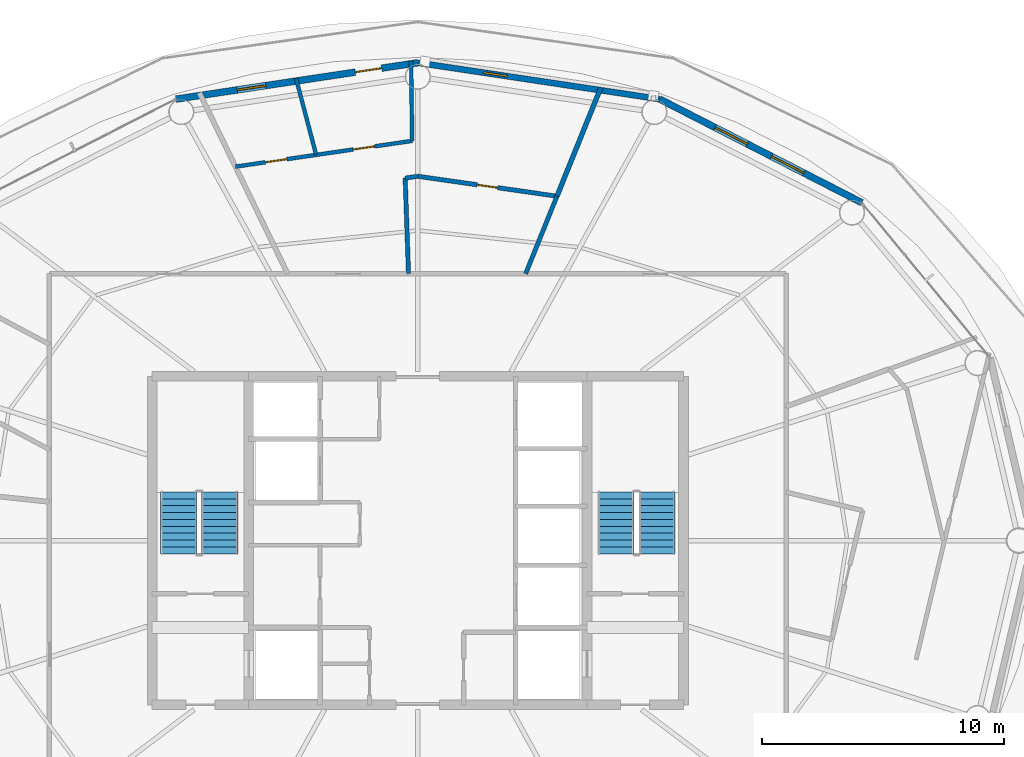
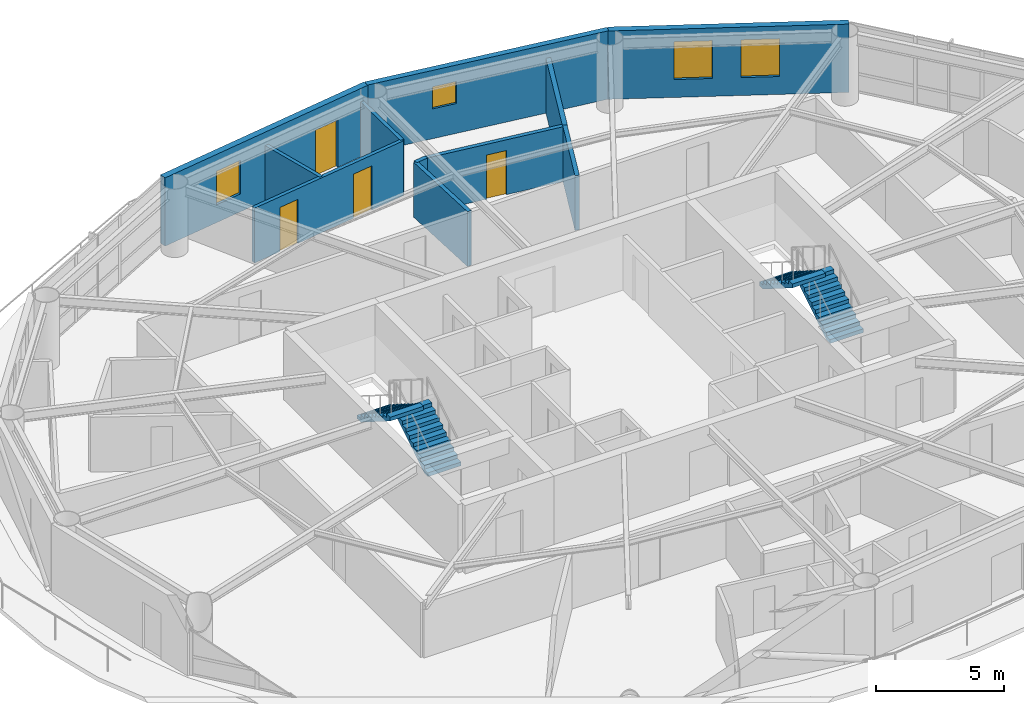
# One storey, part 21 of 24: 11 walls, 4 doors, 4 stair flights, 4 windows, 8 openings, 2 elements without a shape of their own.
"""IFC4 building model written with IfcOpenShell, lengths in metres."""

from ifc_helpers import new_model, si_unit, direction, frame, frame_2d, origin, place, context, subcontext, project, spatial, polyline, rectangle, outline, extrude, material, layer, layer_set, type_object, element, fill, aggregate, save


model = new_model("IFC4")

# Units and contexts
model_context = context("Model", 3, precision=1e-05, world=origin(), true_north=direction((0.0, 1.0)))
body_context = subcontext(model_context, "Body", "Model", "MODEL_VIEW")
ifc_project = project(units=[si_unit("LENGTHUNIT", "METRE"), si_unit("AREAUNIT", "SQUARE_METRE"), si_unit("VOLUMEUNIT", "CUBIC_METRE"), si_unit("PLANEANGLEUNIT", "RADIAN"), si_unit("MASSUNIT", "GRAM", prefix="KILO")], contexts=[model_context])

# Site, building, storey
site_placement = place(None, origin())
site = spatial("IfcSite", under=ifc_project, at=site_placement, CompositionType="ELEMENT")
building_placement = place(site_placement, origin())
building = spatial("IfcBuilding", under=site, at=building_placement, Name="Sarneth Arch Tower", CompositionType="ELEMENT")
storey_placement = place(building_placement, frame((0.0, 0.0, 253.199951171875)))
storey = spatial("IfcBuildingStorey", under=building, at=storey_placement, Name="L65", CompositionType="ELEMENT", Elevation=253.199951171875)

# Wall, opening, window
ifc_material_1 = material(Name="Extruded terracotta rainscreen on Concrete C40/50 backing", Category="masonry")
ifc_layer_1 = layer(ifc_material_1, 0.25)
ifc_layer_set_1 = layer_set([ifc_layer_1], Name="Extruded terracotta rainscreen on Concrete C40/50 backing")
wall_type_1 = type_object("IfcWallType", Name="WALL-EXT-SPAND-250", PredefinedType="SOLIDWALL", material=ifc_layer_set_1)
wall_1_placement = place(storey_placement, frame((58.0126953125, 60.2744140625, 0.0), z_axis=(0.0, 0.0, 1.0), x_axis=(-0.988882522213, 0.148698881169, 0.0)))
wall_1 = element("IfcWall", 1, at=wall_1_placement, inside=storey, type_object=wall_type_1, Name="L65 Terracotta perimeter wall 04", PredefinedType="SOLIDWALL", context=body_context, shape_type="SweptSolid", body=[
    extrude(rectangle(XDim=10.125244140625, YDim=0.25, at=frame_2d((5.0625, 0.0))), origin(), (0.0, 0.0, 1.0), 3.25),
])
opening_1_placement = place(wall_1_placement, frame((6.37890625, 0.0, 1.419921875)))
opening_1 = element("IfcOpeningElement", 2, at=opening_1_placement, cuts=wall_1, Name="Opening W-14", PredefinedType="OPENING", context=body_context, shape_type="SweptSolid", body=[
    extrude(rectangle(XDim=1.0, YDim=1.050048828125, at=frame_2d((0.5, 0.52490234375))), frame((0.0, 0.135009765625, 0.0), z_axis=(0.0, -1.0, 0.0), x_axis=(1.0, 0.0, 0.0)), (0.0, 0.0, 1.0), 0.27001953125),
])
ifc_material_2 = material(Name="Thermally broken Aluminium 6063-T6 and low-e laminated IGU", Category="aluminium")
window_type_1 = type_object("IfcWindowType", Name="WIN-TWR-1000x1050", PartitioningType="SINGLE_PANEL", PredefinedType="WINDOW", material=ifc_material_2)
window_1_placement = place(opening_1_placement, origin())
window_1 = element("IfcWindow", 3, at=window_1_placement, inside=storey, type_object=window_type_1, Name="L65 Dwelling bedroom window 01", OverallHeight=1.050048828125, OverallWidth=1.0, PartitioningType="SINGLE_PANEL", PredefinedType="WINDOW", context=body_context, shape_type="SweptSolid", body=[
    extrude(rectangle(XDim=1.0, YDim=1.050048828125, at=frame_2d((0.5, 0.52490234375))), frame((0.0, 0.030029296875, 0.0), z_axis=(0.0, -1.0, 0.0), x_axis=(1.0, 0.0, 0.0)), (0.0, 0.0, 1.0), 0.06005859375),
])
fill(opening_1, window_1)

# Wall, openings, windows
ifc_material_3 = material(Name="Extruded terracotta rainscreen on Concrete C40/50 backing", Category="masonry")
ifc_layer_2 = layer(ifc_material_3, 0.280029296875)
ifc_layer_set_2 = layer_set([ifc_layer_2], Name="Extruded terracotta rainscreen on Concrete C40/50 backing")
wall_type_2 = type_object("IfcWallType", Name="WALL-EXT-TERRA-280", PredefinedType="SOLIDWALL", material=ifc_layer_set_2)
wall_2_placement = place(storey_placement, frame((66.382568359375, 55.986572265625, 0.0), z_axis=(0.0, 0.0, 1.0), x_axis=(-0.890007394051, 0.455946091699, 0.0)))
wall_2 = element("IfcWall", 4, at=wall_2_placement, inside=storey, type_object=wall_type_2, Name="L65 Terracotta perimeter wall 03", PredefinedType="SOLIDWALL", context=body_context, shape_type="SweptSolid", body=[
    extrude(rectangle(XDim=9.404296875, YDim=0.280029296875, at=frame_2d((4.7021484375, 0.0))), origin(), (0.0, 0.0, 1.0), 3.25),
])
opening_2_placement = place(wall_2_placement, frame((2.702880859375, 0.0, 0.85009765625)))
opening_2 = element("IfcOpeningElement", 5, at=opening_2_placement, cuts=wall_2, Name="Opening W-07", PredefinedType="OPENING", context=body_context, shape_type="SweptSolid", body=[
    extrude(rectangle(XDim=1.5, YDim=1.800048828125, at=frame_2d((0.75, 0.89990234375))), frame((0.0, 0.14990234375, 0.0), z_axis=(0.0, -1.0, 0.0), x_axis=(1.0, 0.0, 0.0)), (0.0, 0.0, 1.0), 0.300048828125),
])
opening_3_placement = place(wall_2_placement, frame((5.330078125, 0.0, 0.85009765625)))
opening_3 = element("IfcOpeningElement", 6, at=opening_3_placement, cuts=wall_2, Name="Opening W-07", PredefinedType="OPENING", context=body_context, shape_type="SweptSolid", body=[
    extrude(rectangle(XDim=1.5, YDim=1.800048828125, at=frame_2d((0.75, 0.89990234375))), frame((0.0, 0.14990234375, 0.0), z_axis=(0.0, -1.0, 0.0), x_axis=(1.0, 0.0, 0.0)), (0.0, 0.0, 1.0), 0.300048828125),
])
ifc_material_4 = material(Name="Thermally broken Aluminium 6063-T6 and low-e laminated IGU", Category="aluminium")
window_type_2 = type_object("IfcWindowType", Name="WIN-TWR-1500x1800", PartitioningType="SINGLE_PANEL", PredefinedType="WINDOW", material=ifc_material_4)
window_2_placement = place(opening_2_placement, origin())
window_2 = element("IfcWindow", 7, at=window_2_placement, inside=storey, type_object=window_type_2, Name="L65 Exterior window 03A", OverallHeight=1.800048828125, OverallWidth=1.5, PartitioningType="SINGLE_PANEL", PredefinedType="WINDOW", context=body_context, shape_type="SweptSolid", body=[
    extrude(rectangle(XDim=1.5, YDim=1.800048828125, at=frame_2d((0.75, 0.89990234375))), frame((0.0, 0.030029296875, 0.0), z_axis=(0.0, -1.0, 0.0), x_axis=(1.0, 0.0, 0.0)), (0.0, 0.0, 1.0), 0.06005859375),
])
fill(opening_2, window_2)
window_3_placement = place(opening_3_placement, origin())
window_3 = element("IfcWindow", 8, at=window_3_placement, inside=storey, type_object=window_type_2, Name="L65 Exterior window 03B", OverallHeight=1.800048828125, OverallWidth=1.5, PartitioningType="SINGLE_PANEL", PredefinedType="WINDOW", context=body_context, shape_type="SweptSolid", body=[
    extrude(rectangle(XDim=1.5, YDim=1.800048828125, at=frame_2d((0.75, 0.89990234375))), frame((0.0, 0.030029296875, 0.0), z_axis=(0.0, -1.0, 0.0), x_axis=(1.0, 0.0, 0.0)), (0.0, 0.0, 1.0), 0.06005859375),
])
fill(opening_3, window_3)

# Wall, openings, door, window
wall_3_placement = place(storey_placement, frame((48.0, 61.780029296875, 0.0), z_axis=(0.0, 0.0, 1.0), x_axis=(-0.988882522213, -0.148698881169, 0.0)))
wall_3 = element("IfcWall", 9, at=wall_3_placement, inside=storey, type_object=wall_type_2, Name="L65 Terracotta perimeter wall 05", PredefinedType="SOLIDWALL", context=body_context, shape_type="SweptSolid", body=[
    extrude(rectangle(XDim=10.125244140625, YDim=0.280029296875, at=frame_2d((5.0625, 0.0))), origin(), (0.0, 0.0, 1.0), 3.25),
])
opening_4_placement = place(wall_3_placement, frame((1.51611328125, 0.0, 0.0)))
opening_4 = element("IfcOpeningElement", 10, at=opening_4_placement, cuts=wall_3, Name="Opening BD-3", PredefinedType="OPENING", context=body_context, shape_type="SweptSolid", body=[
    extrude(rectangle(XDim=1.10009765625, YDim=2.25, at=frame_2d((0.550048828125, 1.125))), frame((0.0, 0.14990234375, 0.0), z_axis=(0.0, -1.0, 0.0), x_axis=(1.0, 0.0, 0.0)), (0.0, 0.0, 1.0), 0.300048828125),
])
opening_5_placement = place(wall_3_placement, frame((6.35986328125, 0.0, 0.85009765625)))
opening_5 = element("IfcOpeningElement", 11, at=opening_5_placement, cuts=wall_3, Name="Opening W-10", PredefinedType="OPENING", context=body_context, shape_type="SweptSolid", body=[
    extrude(rectangle(XDim=1.199951171875, YDim=1.60009765625, at=frame_2d((0.60009765625, 0.800048828125))), frame((0.0, 0.14990234375, 0.0), z_axis=(0.0, -1.0, 0.0), x_axis=(1.0, 0.0, 0.0)), (0.0, 0.0, 1.0), 0.300048828125),
])
ifc_material_5 = material(Name="Thermally broken Aluminium 6063-T6 and laminated safety glass", Category="aluminium")
door_type_1 = type_object("IfcDoorType", Name="DR-BALC-GLZ-1100", OperationType="SINGLE_SWING_LEFT", PredefinedType="DOOR", material=ifc_material_5)
door_1_placement = place(opening_4_placement, origin())
door_1 = element("IfcDoor", 12, at=door_1_placement, inside=storey, type_object=door_type_1, Name="L65 Balcony glazed door 05", OperationType="SINGLE_SWING_LEFT", OverallHeight=2.25, OverallWidth=1.10009765625, PredefinedType="DOOR", context=body_context, shape_type="SweptSolid", body=[
    extrude(rectangle(XDim=1.10009765625, YDim=2.25, at=frame_2d((0.550048828125, 1.125))), frame((0.0, 0.02490234375, 0.0), z_axis=(0.0, -1.0, 0.0), x_axis=(1.0, 0.0, 0.0)), (0.0, 0.0, 1.0), 0.050048828125),
])
fill(opening_4, door_1)
ifc_material_6 = material(Name="Thermally broken Aluminium 6063-T6 and low-e laminated IGU", Category="aluminium")
window_type_3 = type_object("IfcWindowType", Name="WIN-TWR-1200x1600", PartitioningType="SINGLE_PANEL", PredefinedType="WINDOW", material=ifc_material_6)
window_4_placement = place(opening_5_placement, origin())
window_4 = element("IfcWindow", 13, at=window_4_placement, inside=storey, type_object=window_type_3, Name="L65 Exterior window 05A", OverallHeight=1.60009765625, OverallWidth=1.199951171875, PartitioningType="SINGLE_PANEL", PredefinedType="WINDOW", context=body_context, shape_type="SweptSolid", body=[
    extrude(rectangle(XDim=1.199951171875, YDim=1.60009765625, at=frame_2d((0.60009765625, 0.800048828125))), frame((0.0, 0.030029296875, 0.0), z_axis=(0.0, -1.0, 0.0), x_axis=(1.0, 0.0, 0.0)), (0.0, 0.0, 1.0), 0.06005859375),
])
fill(opening_5, window_4)

# Wall, openings, doors
ifc_material_7 = material(Name="Kitchen wet service chase wall", Category="gypsum")
ifc_layer_3 = layer(ifc_material_7, 0.159912109375)
ifc_layer_set_3 = layer_set([ifc_layer_3], Name="Kitchen wet service chase wall")
wall_type_3 = type_object("IfcWallType", Name="WALL-PLUMB-160", PredefinedType="PLUMBINGWALL", material=ifc_layer_set_3)
wall_4_placement = place(storey_placement, frame((40.4501953125, 57.47900390625, 0.0), z_axis=(0.0, 0.0, 1.0), x_axis=(0.989534552703, 0.144296115701, 0.0)))
wall_4 = element("IfcWall", 14, at=wall_4_placement, inside=storey, type_object=wall_type_3, Name="L65 Interior partition W-L65-TP-022", PredefinedType="PLUMBINGWALL", context=body_context, shape_type="SweptSolid", body=[
    extrude(rectangle(XDim=7.393798828125, YDim=0.159912109375, at=frame_2d((3.69677734375, 0.0))), origin(), (0.0, 0.0, 1.0), 2.610107421875),
])
opening_6_placement = place(wall_4_placement, frame((4.9189453125, 0.0, 0.0)))
opening_6 = element("IfcOpeningElement", 15, at=opening_6_placement, cuts=wall_4, Name="Opening ID-01", PredefinedType="OPENING", context=body_context, shape_type="SweptSolid", body=[
    extrude(rectangle(XDim=0.89990234375, YDim=2.10009765625, at=frame_2d((0.449951171875, 1.050048828125))), frame((0.0, 0.08984375, 0.0), z_axis=(0.0, -1.0, 0.0), x_axis=(1.0, 0.0, 0.0)), (0.0, 0.0, 1.0), 0.179931640625),
])
opening_7_placement = place(wall_4_placement, frame((1.25439453125, 0.0, 0.0)))
opening_7 = element("IfcOpeningElement", 16, at=opening_7_placement, cuts=wall_4, Name="Opening ID-01", PredefinedType="OPENING", context=body_context, shape_type="SweptSolid", body=[
    extrude(rectangle(XDim=0.89990234375, YDim=2.10009765625, at=frame_2d((0.449951171875, 1.050048828125))), frame((0.0, 0.08984375, 0.0), z_axis=(0.0, -1.0, 0.0), x_axis=(1.0, 0.0, 0.0)), (0.0, 0.0, 1.0), 0.179931640625),
])
ifc_material_8 = material(Name="Engineered hardwood flush door", Category="wood")
door_type_2 = type_object("IfcDoorType", Name="DR-INT-900", OperationType="SINGLE_SWING_LEFT", PredefinedType="DOOR", material=ifc_material_8)
door_2_placement = place(opening_6_placement, origin())
door_2 = element("IfcDoor", 17, at=door_2_placement, inside=storey, type_object=door_type_2, Name="L65 Interior door DR-L65-U2-KIT", OperationType="SINGLE_SWING_RIGHT", OverallHeight=2.10009765625, OverallWidth=0.89990234375, PredefinedType="DOOR", context=body_context, shape_type="SweptSolid", body=[
    extrude(rectangle(XDim=0.89990234375, YDim=2.10009765625, at=frame_2d((0.449951171875, 1.050048828125))), frame((0.0, 0.02490234375, 0.0), z_axis=(0.0, -1.0, 0.0), x_axis=(1.0, 0.0, 0.0)), (0.0, 0.0, 1.0), 0.050048828125),
])
fill(opening_6, door_2)
door_3_placement = place(opening_7_placement, origin())
door_3 = element("IfcDoor", 18, at=door_3_placement, inside=storey, type_object=door_type_2, Name="L65 Interior door DR-L65-U2-BED1", OperationType="SINGLE_SWING_LEFT", OverallHeight=2.10009765625, OverallWidth=0.89990234375, PredefinedType="DOOR", context=body_context, shape_type="SweptSolid", body=[
    extrude(rectangle(XDim=0.89990234375, YDim=2.10009765625, at=frame_2d((0.449951171875, 1.050048828125))), frame((0.0, 0.02490234375, 0.0), z_axis=(0.0, -1.0, 0.0), x_axis=(1.0, 0.0, 0.0)), (0.0, 0.0, 1.0), 0.050048828125),
])
fill(opening_7, door_3)

# Walls
wall_5_placement = place(storey_placement, frame((47.7666015625, 58.5458984375, 0.0), z_axis=(0.0, 0.0, 1.0), x_axis=(-0.01415056948, 0.999899875679, 0.0)))
element("IfcWall", 19, at=wall_5_placement, inside=storey, type_object=wall_type_3, Name="L65 Interior partition W-L65-TP-023", PredefinedType="PLUMBINGWALL", context=body_context, shape_type="SweptSolid", body=[
    extrude(rectangle(XDim=3.3125, YDim=0.159912109375, at=frame_2d((1.65625, 0.0))), origin(), (0.0, 0.0, 1.0), 2.610107421875),
])
wall_6_placement = place(storey_placement, frame((42.95458984375, 61.141845703125, 0.0), z_axis=(0.0, 0.0, 1.0), x_axis=(0.254917754424, -0.96696273893, 0.0)))
element("IfcWall", 20, at=wall_6_placement, inside=storey, type_object=wall_type_3, Name="L65 Interior partition W-L65-TP-029", PredefinedType="PLUMBINGWALL", context=body_context, shape_type="SweptSolid", body=[
    extrude(rectangle(XDim=3.283935546875, YDim=0.159912109375, at=frame_2d((1.64208984375, 0.0))), origin(), (0.0, 0.0, 1.0), 2.610107421875),
])

# Wall, opening, door
ifc_material_9 = material(Name="Moisture-resistant plumbing chase wall", Category="gypsum")
ifc_layer_4 = layer(ifc_material_9, 0.179931640625)
ifc_layer_set_4 = layer_set([ifc_layer_4], Name="Moisture-resistant plumbing chase wall")
wall_type_4 = type_object("IfcWallType", Name="WALL-PLUMB-180", PredefinedType="PLUMBINGWALL", material=ifc_layer_set_4)
wall_7_placement = place(storey_placement, frame((48.0, 57.080078125, 0.0), z_axis=(0.0, 0.0, 1.0), x_axis=(0.98992178104, -0.141615209012, 0.0)))
wall_7 = element("IfcWall", 21, at=wall_7_placement, inside=storey, type_object=wall_type_4, Name="L65 Interior partition W-L65-TP-026", PredefinedType="PLUMBINGWALL", context=body_context, shape_type="SweptSolid", body=[
    extrude(rectangle(XDim=5.818359375, YDim=0.179931640625, at=frame_2d((2.9091796875, 0.0))), origin(), (0.0, 0.0, 1.0), 2.610107421875),
])
opening_8_placement = place(wall_7_placement, frame((2.484130859375, 0.0, 0.0)))
opening_8 = element("IfcOpeningElement", 22, at=opening_8_placement, cuts=wall_7, Name="Opening ID-02", PredefinedType="OPENING", context=body_context, shape_type="SweptSolid", body=[
    extrude(rectangle(XDim=0.85009765625, YDim=2.10009765625, at=frame_2d((0.425048828125, 1.050048828125))), frame((0.0, 0.099853515625, 0.0), z_axis=(0.0, -1.0, 0.0), x_axis=(1.0, 0.0, 0.0)), (0.0, 0.0, 1.0), 0.199951171875),
])
ifc_material_10 = material(Name="Moisture-resistant bathroom timber door", Category="wood")
door_type_3 = type_object("IfcDoorType", Name="DR-INT-850", OperationType="SINGLE_SWING_RIGHT", PredefinedType="DOOR", material=ifc_material_10)
door_4_placement = place(opening_8_placement, origin())
door_4 = element("IfcDoor", 23, at=door_4_placement, inside=storey, type_object=door_type_3, Name="L65 Interior door DR-L65-U2-BATH", OperationType="SINGLE_SWING_RIGHT", OverallHeight=2.10009765625, OverallWidth=0.85009765625, PredefinedType="DOOR", context=body_context, shape_type="SweptSolid", body=[
    extrude(rectangle(XDim=0.85009765625, YDim=2.10009765625, at=frame_2d((0.425048828125, 1.050048828125))), frame((0.0, 0.02490234375, 0.0), z_axis=(0.0, -1.0, 0.0), x_axis=(1.0, 0.0, 0.0)), (0.0, 0.0, 1.0), 0.050048828125),
])
fill(opening_8, door_4)

# Walls
wall_8_placement = place(storey_placement, frame((47.614013671875, 53.050048828125, 0.0), z_axis=(0.0, 0.0, 1.0), x_axis=(-0.034857500177, 0.999392292687, 0.0)))
element("IfcWall", 24, at=wall_8_placement, inside=storey, type_object=wall_type_4, Name="L65 Interior partition W-L65-TP-024", PredefinedType="PLUMBINGWALL", context=body_context, shape_type="SweptSolid", body=[
    extrude(rectangle(XDim=3.957275390625, YDim=0.179931640625, at=frame_2d((1.978515625, 0.0))), origin(), (0.0, 0.0, 1.0), 2.610107421875),
])
wall_9_placement = place(storey_placement, frame((53.759765625, 56.256103515625, 0.0), z_axis=(0.0, 0.0, 1.0), x_axis=(-0.374565779855, -0.927200343271, 0.0)))
element("IfcWall", 25, at=wall_9_placement, inside=storey, type_object=wall_type_4, Name="L65 Interior partition W-L65-TP-019", PredefinedType="PLUMBINGWALL", context=body_context, shape_type="SweptSolid", body=[
    extrude(rectangle(XDim=3.457763671875, YDim=0.179931640625, at=frame_2d((1.72900390625, 0.0))), origin(), (0.0, 0.0, 1.0), 2.610107421875),
])
wall_10_placement = place(storey_placement, frame((47.47607421875, 57.0048828125, 0.0), z_axis=(0.0, 0.0, 1.0), x_axis=(0.989857031687, 0.142067085629, 0.0)))
element("IfcWall", 26, at=wall_10_placement, inside=storey, type_object=wall_type_4, Name="L65 Interior partition W-L65-TP-025", PredefinedType="PLUMBINGWALL", context=body_context, shape_type="SweptSolid", body=[
    extrude(rectangle(XDim=0.529296875, YDim=0.179931640625, at=frame_2d((0.2646484375, 0.0))), origin(), (0.0, 0.0, 1.0), 2.610107421875),
])
ifc_material_11 = material(Name="Double steel-stud acoustic drywall", Category="steel")
ifc_layer_5 = layer(ifc_material_11, 0.199951171875)
ifc_layer_set_5 = layer_set([ifc_layer_5], Name="Double steel-stud acoustic drywall")
wall_type_5 = type_object("IfcWallType", Name="WALL-UNIT-200", PredefinedType="PARTITIONING", material=ifc_layer_set_5)
wall_11_placement = place(storey_placement, frame((55.578857421875, 60.75830078125, 0.0), z_axis=(0.0, 0.0, 1.0), x_axis=(-0.374621823663, -0.927177701002, 0.0)))
element("IfcWall", 27, at=wall_11_placement, inside=storey, type_object=wall_type_5, Name="L65 Interior partition W-L65-TP-018", PredefinedType="PARTITIONING", context=body_context, shape_type="SweptSolid", body=[
    extrude(rectangle(XDim=4.855712890625, YDim=0.199951171875, at=frame_2d((2.427734375, 0.0))), origin(), (0.0, 0.0, 1.0), 2.610107421875),
])

# Stair, stair flights
ifc_material_12 = material(Name="Concrete C50/60", Category="concrete")
stair_type = type_object("IfcStairType", Name="STAIR-CORE-RC", PredefinedType="HALF_TURN_STAIR", material=ifc_material_12)
stair_1_placement = place(storey_placement, origin())
stair_1 = element("IfcStair", 28, at=stair_1_placement, inside=storey, type_object=stair_type, Name="L65 Core Exit Stair 1", PredefinedType="HALF_TURN_STAIR")
ifc_material_13 = material(Name="Concrete C50/60", Category="concrete")
stair_flight_type = type_object("IfcStairFlightType", Name="FLIGHT-RC-1500", PredefinedType="STRAIGHT", material=ifc_material_13)
stair_flight_1_placement = place(storey_placement, frame((39.800048828125, 41.449951171875, 0.0), z_axis=(0.0, 0.0, 1.0), x_axis=(0.0, 1.0, 0.0)))
stair_flight_1 = element("IfcStairFlight", 29, at=stair_flight_1_placement, type_object=stair_flight_type, Name="ST-1 flight 1", NumberOfRisers=10, NumberOfTreads=9, PredefinedType="STRAIGHT", RiserHeight=0.18, TreadLength=0.285, context=body_context, shape_type="SweptSolid", body=[
    extrude(outline(polyline([(0.0, 0.0), (0.0, 0.179931640625), (0.284912109375, 0.179931640625), (0.284912109375, 0.360107421875), (0.570068359375, 0.360107421875), (0.570068359375, 0.5400390625), (0.85498046875, 0.5400390625), (0.85498046875, 0.719970703125), (1.139892578125, 0.719970703125), (1.139892578125, 0.89990234375), (1.425048828125, 0.89990234375), (1.425048828125, 1.080078125), (1.7099609375, 1.080078125), (1.7099609375, 1.260009765625), (1.9951171875, 1.260009765625), (1.9951171875, 1.43994140625), (2.280029296875, 1.43994140625), (2.280029296875, 1.6201171875), (2.56494140625, 1.6201171875), (2.56494140625, 1.800048828125), (2.56494140625, 1.442626953125), (0.28076171875, 0.0), (0.0, 0.0)])), frame((0.0, 0.75, 0.0), z_axis=(0.0, -1.0, 0.0), x_axis=(1.0, 0.0, 0.0)), (0.0, 0.0, 1.0), 1.5),
])
stair_flight_2_placement = place(storey_placement, frame((38.10009765625, 44.014892578125, 1.800048828125), z_axis=(0.0, 0.0, 1.0), x_axis=(0.0, -1.0, 0.0)))
stair_flight_2 = element("IfcStairFlight", 30, at=stair_flight_2_placement, type_object=stair_flight_type, Name="ST-1 flight 2", NumberOfRisers=10, NumberOfTreads=9, PredefinedType="STRAIGHT", RiserHeight=0.18, TreadLength=0.285, context=body_context, shape_type="SweptSolid", body=[
    extrude(outline(polyline([(0.0, 0.0), (0.0, 0.179931640625), (0.284912109375, 0.179931640625), (0.284912109375, 0.360107421875), (0.570068359375, 0.360107421875), (0.570068359375, 0.5400390625), (0.85498046875, 0.5400390625), (0.85498046875, 0.719970703125), (1.139892578125, 0.719970703125), (1.139892578125, 0.89990234375), (1.425048828125, 0.89990234375), (1.425048828125, 1.080078125), (1.7099609375, 1.080078125), (1.7099609375, 1.260009765625), (1.9951171875, 1.260009765625), (1.9951171875, 1.43994140625), (2.280029296875, 1.43994140625), (2.280029296875, 1.6201171875), (2.56494140625, 1.6201171875), (2.56494140625, 1.800048828125), (2.56494140625, 1.442626953125), (0.28076171875, 0.0), (0.0, 0.0)])), frame((0.0, 0.75, 0.0), z_axis=(0.0, -1.0, 0.0), x_axis=(1.0, 0.0, 0.0)), (0.0, 0.0, 1.0), 1.5),
])
aggregate(stair_1, [stair_flight_1, stair_flight_2])

stair_2_placement = place(storey_placement, origin())
stair_2 = element("IfcStair", 31, at=stair_2_placement, inside=storey, type_object=stair_type, Name="L65 Core Exit Stair 2", PredefinedType="HALF_TURN_STAIR")
stair_flight_3_placement = place(storey_placement, frame((57.89990234375, 41.449951171875, 0.0), z_axis=(0.0, 0.0, 1.0), x_axis=(0.0, 1.0, 0.0)))
stair_flight_3 = element("IfcStairFlight", 32, at=stair_flight_3_placement, type_object=stair_flight_type, Name="ST-2 flight 1", NumberOfRisers=10, NumberOfTreads=9, PredefinedType="STRAIGHT", RiserHeight=0.18, TreadLength=0.285, context=body_context, shape_type="SweptSolid", body=[
    extrude(outline(polyline([(0.0, 0.0), (0.0, 0.179931640625), (0.284912109375, 0.179931640625), (0.284912109375, 0.360107421875), (0.570068359375, 0.360107421875), (0.570068359375, 0.5400390625), (0.85498046875, 0.5400390625), (0.85498046875, 0.719970703125), (1.139892578125, 0.719970703125), (1.139892578125, 0.89990234375), (1.425048828125, 0.89990234375), (1.425048828125, 1.080078125), (1.7099609375, 1.080078125), (1.7099609375, 1.260009765625), (1.9951171875, 1.260009765625), (1.9951171875, 1.43994140625), (2.280029296875, 1.43994140625), (2.280029296875, 1.6201171875), (2.56494140625, 1.6201171875), (2.56494140625, 1.800048828125), (2.56494140625, 1.442626953125), (0.28076171875, 0.0), (0.0, 0.0)])), frame((0.0, 0.75, 0.0), z_axis=(0.0, -1.0, 0.0), x_axis=(1.0, 0.0, 0.0)), (0.0, 0.0, 1.0), 1.5),
])
stair_flight_4_placement = place(storey_placement, frame((56.199951171875, 44.014892578125, 1.800048828125), z_axis=(0.0, 0.0, 1.0), x_axis=(0.0, -1.0, 0.0)))
stair_flight_4 = element("IfcStairFlight", 33, at=stair_flight_4_placement, type_object=stair_flight_type, Name="ST-2 flight 2", NumberOfRisers=10, NumberOfTreads=9, PredefinedType="STRAIGHT", RiserHeight=0.18, TreadLength=0.285, context=body_context, shape_type="SweptSolid", body=[
    extrude(outline(polyline([(0.0, 0.0), (0.0, 0.179931640625), (0.284912109375, 0.179931640625), (0.284912109375, 0.360107421875), (0.570068359375, 0.360107421875), (0.570068359375, 0.5400390625), (0.85498046875, 0.5400390625), (0.85498046875, 0.719970703125), (1.139892578125, 0.719970703125), (1.139892578125, 0.89990234375), (1.425048828125, 0.89990234375), (1.425048828125, 1.080078125), (1.7099609375, 1.080078125), (1.7099609375, 1.260009765625), (1.9951171875, 1.260009765625), (1.9951171875, 1.43994140625), (2.280029296875, 1.43994140625), (2.280029296875, 1.6201171875), (2.56494140625, 1.6201171875), (2.56494140625, 1.800048828125), (2.56494140625, 1.442626953125), (0.28076171875, 0.0), (0.0, 0.0)])), frame((0.0, 0.75, 0.0), z_axis=(0.0, -1.0, 0.0), x_axis=(1.0, 0.0, 0.0)), (0.0, 0.0, 1.0), 1.5),
])
aggregate(stair_2, [stair_flight_3, stair_flight_4])

save(model, "model.ifc")
